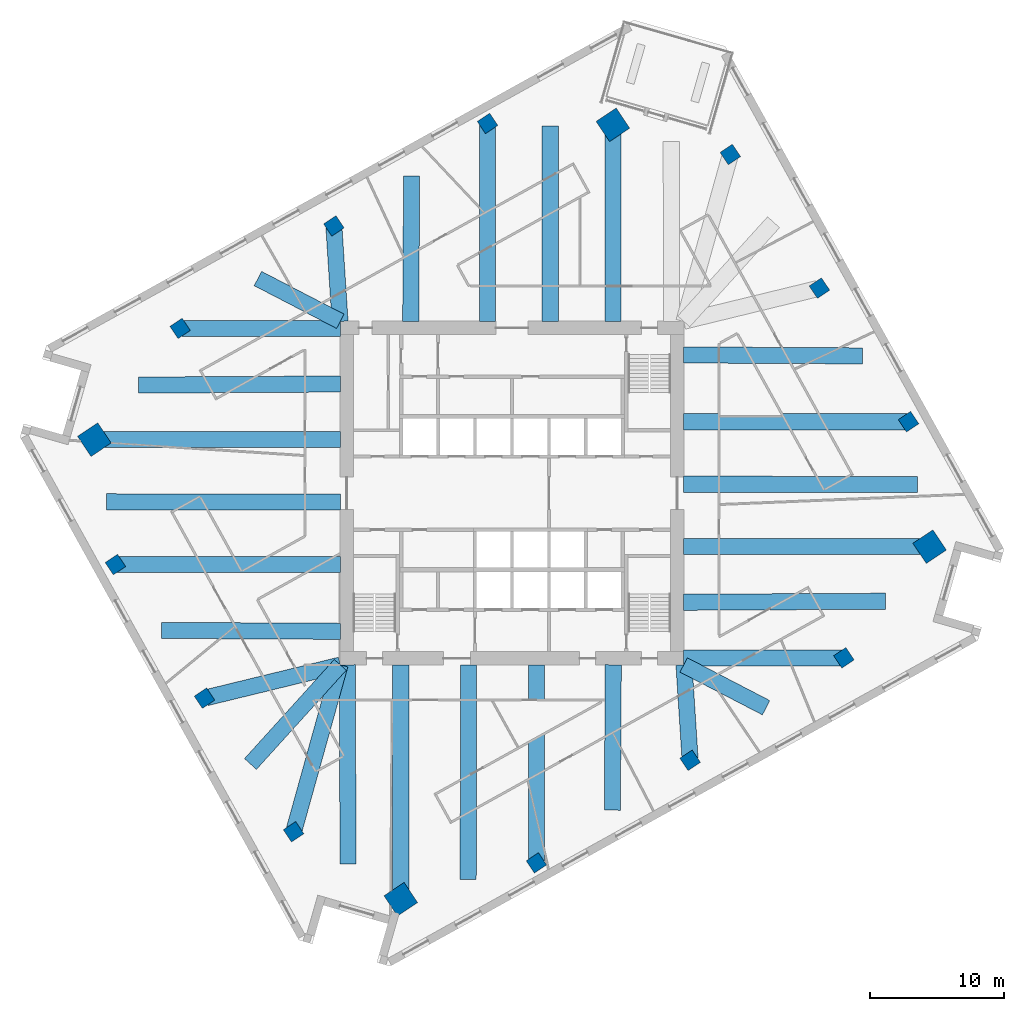
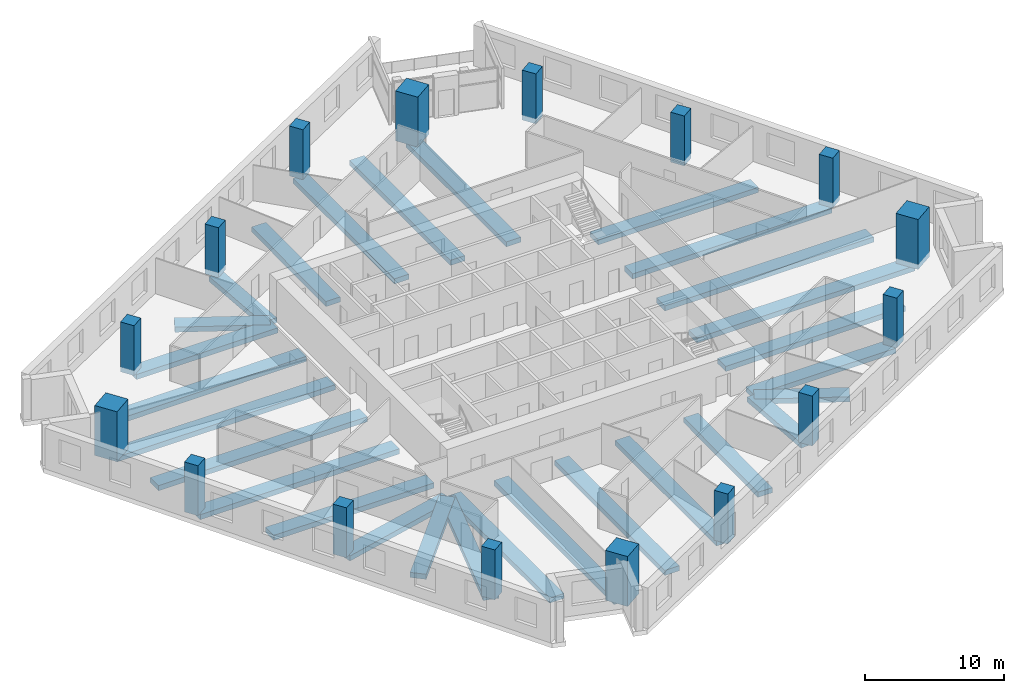
# One storey, part 1 of 11: 28 beams, 16 columns.
"""IFC4 building model written with IfcOpenShell, lengths in metres."""

import ifcopenshell
import ifcopenshell.guid

model = None  # the IFC model being written
_history = None  # IfcOwnerHistory: only IFC2X3 demands one
_inside = {}  # id of a spatial element -> (the spatial element, [elements in it])
_under = {}  # id of a project, library or spatial element -> (it, [spatial elements below it])
_declared = {}  # id of a project -> (the project, [libraries it declares])
_typed = {}  # id of a type object -> (the type object, [elements of that type])
_made_of = {}  # id of a material, layer set ... -> (it, [elements and type objects made of it])


def new_model(schema):
    """Start an empty IFC model of exactly this schema.

    Asked for "IFC4X3", IfcOpenShell would pick the latest addendum, in which some entities
    have other attributes; the version numbers below select the first issue.
    IFC2X3 requires an IfcOwnerHistory on every rooted entity: one is made here for all.
    """
    global model, _history
    if schema == "IFC4X3":
        model = ifcopenshell.file(schema_version=(4, 3, 0, 0))
    else:
        model = ifcopenshell.file(schema=schema)
    _inside.clear()
    _under.clear()
    _declared.clear()
    _typed.clear()
    _made_of.clear()
    _history = None
    if model.schema == "IFC2X3":
        org = make("IfcOrganization", Name="unknown")
        user = make(
            "IfcPersonAndOrganization",
            ThePerson=make("IfcPerson", FamilyName="unknown"),
            TheOrganization=org,
        )
        app = make(
            "IfcApplication",
            ApplicationDeveloper=org,
            Version="unknown",
            ApplicationFullName="unknown",
            ApplicationIdentifier="unknown",
        )
        _history = make(
            "IfcOwnerHistory",
            OwningUser=user,
            OwningApplication=app,
            ChangeAction="ADDED",
            CreationDate=0,
        )
    return model


def make(cls, **values):
    """One entity of the class cls with the attributes given. An attribute that is None is left unset."""
    return model.create_entity(
        cls, **{name: value for name, value in values.items() if value is not None}
    )


def rooted(cls, **values):
    """An entity with a GlobalId (a new one), such as an element, a storey or a relation."""
    return make(cls, GlobalId=ifcopenshell.guid.new(), OwnerHistory=_history, **values)


def si_unit(unit_type, name, prefix=None):
    """IfcSIUnit, for example si_unit("LENGTHUNIT", "METRE", prefix="MILLI")."""
    return make("IfcSIUnit", UnitType=unit_type, Prefix=prefix, Name=name)


def assignment(units):
    """IfcUnitAssignment: the units of a project."""
    return None if units is None else make("IfcUnitAssignment", Units=units)


def point(xyz):
    """IfcCartesianPoint."""
    return None if xyz is None else make("IfcCartesianPoint", Coordinates=xyz)


def direction(xyz):
    """IfcDirection."""
    return None if xyz is None else make("IfcDirection", DirectionRatios=xyz)


def frame(location, z_axis=None, x_axis=None):
    """IfcAxis2Placement3D, a coordinate frame: its origin and axes. An axis left out is left unset."""
    return make(
        "IfcAxis2Placement3D",
        Location=point(location),
        Axis=direction(z_axis),
        RefDirection=direction(x_axis),
    )


def frame_2d(location, x_axis=None):
    """IfcAxis2Placement2D, a coordinate frame in the plane: its origin and x axis."""
    return make(
        "IfcAxis2Placement2D", Location=point(location), RefDirection=direction(x_axis)
    )


def origin():
    """The frame at (0, 0, 0) with its axes left unset."""
    return frame((0.0, 0.0, 0.0))


def origin_2d():
    """The frame at (0, 0) in the plane with its x axis left unset."""
    return frame_2d((0.0, 0.0))


def place(relative_to, where):
    """IfcLocalPlacement: puts the frame where relative to a parent placement (None: the world)."""
    return make(
        "IfcLocalPlacement", PlacementRelTo=relative_to, RelativePlacement=where
    )


def context(
    kind, dimensions, precision=None, world=None, true_north=None, identifier=None
):
    """IfcGeometricRepresentationContext, for example the 3D "Model" context."""
    return make(
        "IfcGeometricRepresentationContext",
        ContextIdentifier=identifier,
        ContextType=kind,
        CoordinateSpaceDimension=dimensions,
        Precision=precision,
        WorldCoordinateSystem=world,
        TrueNorth=true_north,
    )


def subcontext(parent, identifier, kind, view, scale=None):
    """IfcGeometricRepresentationSubContext, for example "Body" below "Model"."""
    return make(
        "IfcGeometricRepresentationSubContext",
        ContextIdentifier=identifier,
        ContextType=kind,
        ParentContext=parent,
        TargetScale=scale,
        TargetView=view,
    )


def project(units=None, contexts=None):
    """IfcProject with its units and contexts."""
    return rooted(
        "IfcProject",
        Name="project",
        RepresentationContexts=contexts,
        UnitsInContext=assignment(units),
    )


def spatial(cls, under=None, at=None, **own):
    """A site, building, storey or space (cls), placed at a placement, below another one or the project."""
    s = rooted(cls, ObjectPlacement=at, **own)
    if under is not None:
        _under.setdefault(under.id(), (under, []))[1].append(s)
    return s


def profile(cls, at=None, kind="AREA", **sizes):
    """A parametric profile (cls). Its sizes go by their IFC names, for example OverallWidth=200.0."""
    return make(cls, ProfileType=kind, Position=at, **sizes)


def rectangle(**sizes):
    """IfcRectangleProfileDef."""
    return profile("IfcRectangleProfileDef", **sizes)


def extrude(swept, where, along, depth):
    """IfcExtrudedAreaSolid: the profile swept, set in the frame where, extruded along a direction by depth."""
    return make(
        "IfcExtrudedAreaSolid",
        SweptArea=swept,
        Position=where,
        ExtrudedDirection=direction(along),
        Depth=depth,
    )


def shape(context_of_items, identifier, shape_type, items):
    """IfcShapeRepresentation: the items that make up one representation, for example the "Body"."""
    return make(
        "IfcShapeRepresentation",
        ContextOfItems=context_of_items,
        RepresentationIdentifier=identifier,
        RepresentationType=shape_type,
        Items=items,
    )


def material(Name=None, Category=None):
    """IfcMaterial."""
    return make("IfcMaterial", Name=Name, Category=Category)


def material_profile(
    of_material, cross_section, Name=None, Category=None, Priority=None
):
    """IfcMaterialProfile: a cross section and its material."""
    return make(
        "IfcMaterialProfile",
        Name=Name,
        Material=of_material,
        Profile=cross_section,
        Priority=Priority,
        Category=Category,
    )


def profile_set(profiles, Name=None, composite=None):
    """IfcMaterialProfileSet."""
    return make(
        "IfcMaterialProfileSet",
        Name=Name,
        MaterialProfiles=profiles,
        CompositeProfile=composite,
    )


def made_of(thing, what):
    """Note that an element or type object is made of a material, layer set ...; save() writes the relation."""
    if what is not None:
        _made_of.setdefault(what.id(), (what, []))[1].append(thing)
    return thing


def type_object(cls, material=None, **own):
    """A type object (cls), such as IfcWallType, which elements share."""
    return made_of(rooted(cls, **own), material)


def element(
    cls,
    number,
    at=None,
    inside=None,
    cuts=None,
    type_object=None,
    material=None,
    context=None,
    identifier="Body",
    shape_type=None,
    held_by="IfcProductDefinitionShape",
    body=None,
    shapes=None,
    **own,
):
    """One element of the class cls, such as IfcWall. Its Tag is "e" and its number.

    at: its placement. inside: the storey or other place that contains it. cuts: it is an
    opening in that element (IfcRelVoidsElement). A single representation is given by context,
    identifier, shape_type and body (its items); several are given by shapes. held_by: the class
    of the entity that holds the representations. save() writes the other relations.
    """
    e = rooted(cls, Tag="e%d" % number, ObjectPlacement=at, **own)
    if body is not None:
        shapes = [shape(context, identifier, shape_type, body)]
    if shapes is not None:
        e.Representation = make(held_by, Representations=shapes)
    if inside is not None:
        _inside.setdefault(inside.id(), (inside, []))[1].append(e)
    if cuts is not None:
        rooted(
            "IfcRelVoidsElement", RelatingBuildingElement=cuts, RelatedOpeningElement=e
        )
    if type_object is not None:
        _typed.setdefault(type_object.id(), (type_object, []))[1].append(e)
    return made_of(e, material)


def aggregate(whole, parts):
    """IfcRelAggregates: a whole, such as a stair, and the parts it consists of."""
    return rooted("IfcRelAggregates", RelatingObject=whole, RelatedObjects=parts)


def save(model, path):
    """Write the relations noted so far, then the file.

    IfcRelAggregates (storeys below a building ...), IfcRelContainedInSpatialStructure (elements
    in a storey), IfcRelDefinesByType, IfcRelAssociatesMaterial and IfcRelDeclares: one each for
    every whole, place, type object, material and project.
    """
    for whole, parts in _under.values():
        aggregate(whole, parts)
    for where, things in _inside.values():
        rooted(
            "IfcRelContainedInSpatialStructure",
            RelatedElements=things,
            RelatingStructure=where,
        )
    for kind, things in _typed.values():
        rooted("IfcRelDefinesByType", RelatedObjects=things, RelatingType=kind)
    for what, things in _made_of.values():
        rooted("IfcRelAssociatesMaterial", RelatedObjects=things, RelatingMaterial=what)
    for by, libraries in _declared.values():
        rooted("IfcRelDeclares", RelatingContext=by, RelatedDefinitions=libraries)
    model.write(path)


model = new_model("IFC4")

# Units and contexts
model_context = context("Model", 3, precision=1e-05, world=origin(), true_north=direction((0.0, 1.0)))
body_context = subcontext(model_context, "Body", "Model", "MODEL_VIEW")
ifc_project = project(units=[si_unit("LENGTHUNIT", "METRE"), si_unit("AREAUNIT", "SQUARE_METRE"), si_unit("VOLUMEUNIT", "CUBIC_METRE"), si_unit("PLANEANGLEUNIT", "RADIAN"), si_unit("MASSUNIT", "GRAM", prefix="KILO")], contexts=[model_context])

# Site, building, storey
site_placement = place(None, origin())
site = spatial("IfcSite", under=ifc_project, at=site_placement, CompositionType="ELEMENT")
building_placement = place(site_placement, origin())
building = spatial("IfcBuilding", under=site, at=building_placement, Name="Dilmun Exchange Tower", CompositionType="ELEMENT")
storey_placement = place(building_placement, frame((0.0, 0.0, 135.699951171875)))
storey = spatial("IfcBuildingStorey", under=building, at=storey_placement, Name="L31", CompositionType="ELEMENT", Elevation=135.699951171875)

# Columns
ifc_material_1 = material(Name="Concrete C60/75", Category="concrete")
ifc_material_profile_1 = material_profile(ifc_material_1, rectangle(XDim=1.800048828125, YDim=1.800048828125, at=origin_2d()), Name="1800 x 1800")
ifc_profile_set_1 = profile_set([ifc_material_profile_1], Name="Concrete C60/75")
column_type_1 = type_object("IfcColumnType", Name="RC mega column 1800 x 1800 C60/75", PredefinedType="COLUMN", material=ifc_profile_set_1)
for number, where, z_axis, x_axis, name in (
    (1, (7.506103515625, 27.409912109375, -0.39990234375), (0.0, 0.0, 1.0), (0.832028680356, 0.55473261583, 0.0), "Mega column M1"),
    (2, (-31.0791015625, 3.98193359375, -0.39990234375), (0.0, 0.0, 1.0), (0.832028680356, 0.55473261583, 0.0), "Mega column M2"),
    (3, (-8.27587890625, -30.220947265625, -0.39990234375), (0.0, 0.0, 1.0), (0.832028680356, 0.55473261583, 0.0), "Mega column M3"),
    (4, (31.0791015625, -3.98193359375, -0.39990234375), (0.0, 0.0, 1.0), (0.832028680356, 0.55473261583, 0.0), "Mega column M4"),
):
    element("IfcColumn", number, at=place(storey_placement, frame(where, z_axis=z_axis, x_axis=x_axis)), inside=storey, type_object=column_type_1, Name=name, PredefinedType="COLUMN", context=body_context, shape_type="SweptSolid", body=[
        extrude(rectangle(XDim=1.800048828125, YDim=1.800048828125, at=origin_2d()), origin(), (0.0, 0.0, 1.0), 4.39990234375),
    ])
ifc_material_profile_2 = material_profile(ifc_material_1, rectangle(XDim=1.10009765625, YDim=1.10009765625, at=origin_2d()), Name="1100 x 1100")
ifc_profile_set_2 = profile_set([ifc_material_profile_2], Name="Concrete C60/75")
column_type_2 = type_object("IfcColumnType", Name="RC ring column 1100 x 1100 C60/75", PredefinedType="COLUMN", material=ifc_profile_set_2)
for number, where, z_axis, x_axis, name in (
    (5, (-1.818115234375, 27.512939453125, -0.39990234375), (0.0, 0.0, 1.0), (0.832028680356, 0.55473261583, 0.0), "Ring column R01"),
    (6, (-13.258056640625, 19.885009765625, -0.39990234375), (0.0, 0.0, 1.0), (0.832028680356, 0.55473261583, 0.0), "Ring column R02"),
    (7, (-24.698974609375, 12.258056640625, -0.39990234375), (0.0, 0.0, 1.0), (0.832028680356, 0.55473261583, 0.0), "Ring column R03"),
    (8, (-29.510009765625, -5.31201171875, -0.39990234375), (0.0, 0.0, 1.0), (0.832028680356, 0.55473261583, 0.0), "Ring column R04"),
    (9, (-22.881103515625, -15.2548828125, -0.39990234375), (0.0, 0.0, 1.0), (0.832028680356, 0.55473261583, 0.0), "Ring column R05"),
    (10, (-16.251953125, -25.197998046875, -0.39990234375), (0.0, 0.0, 1.0), (0.832028680356, 0.55473261583, 0.0), "Ring column R06"),
    (11, (1.818115234375, -27.512939453125, -0.39990234375), (0.0, 0.0, 1.0), (0.832028680356, 0.55473261583, 0.0), "Ring column R07"),
    (12, (13.258056640625, -19.885009765625, -0.39990234375), (0.0, 0.0, 1.0), (0.832028680356, 0.55473261583, 0.0), "Ring column R08"),
    (13, (24.698974609375, -12.258056640625, -0.39990234375), (0.0, 0.0, 1.0), (0.832028680356, 0.55473261583, 0.0), "Ring column R09"),
    (14, (29.510009765625, 5.31201171875, -0.39990234375), (0.0, 0.0, 1.0), (0.832028680356, 0.55473261583, 0.0), "Ring column R10"),
    (15, (22.881103515625, 15.2548828125, -0.39990234375), (0.0, 0.0, 1.0), (0.832028680356, 0.55473261583, 0.0), "Ring column R11"),
    (16, (16.251953125, 25.197998046875, -0.39990234375), (0.0, 0.0, 1.0), (0.832028680356, 0.55473261583, 0.0), "Ring column R12"),
):
    element("IfcColumn", number, at=place(storey_placement, frame(where, z_axis=z_axis, x_axis=x_axis)), inside=storey, type_object=column_type_2, Name=name, PredefinedType="COLUMN", context=body_context, shape_type="SweptSolid", body=[
        extrude(rectangle(XDim=1.10009765625, YDim=1.10009765625, at=origin_2d()), origin(), (0.0, 0.0, 1.0), 4.39990234375),
    ])

# Beams
ifc_material_2 = material(Name="Concrete C40/50", Category="concrete")
ifc_material_profile_3 = material_profile(ifc_material_2, rectangle(XDim=1.199951171875, YDim=0.449951171875, at=origin_2d()), Name="1200 x 450")
ifc_profile_set_3 = profile_set([ifc_material_profile_3], Name="Concrete C40/50")
beam_type = type_object("IfcBeamType", Name="RC band beam 1200 x 450 C40/50", PredefinedType="BEAM", material=ifc_profile_set_3)
beam_1_placement = place(storey_placement, frame((7.506103515625, 27.285888671875, -0.724853515625), z_axis=(0.0, -1.0, 0.0), x_axis=(1.0, 0.0, 0.0)))
element("IfcBeam", 17, at=beam_1_placement, inside=storey, type_object=beam_type, Name="Band beam 1", PredefinedType="BEAM", context=body_context, shape_type="SweptSolid", body=[
    extrude(rectangle(XDim=1.199951171875, YDim=0.449951171875, at=origin_2d()), origin(), (0.0, 0.0, 1.0), 14.512939453125),
])
beam_2_placement = place(storey_placement, frame((-1.818115234375, 27.388916015625, -0.724853515625), z_axis=(0.0, -1.0, 0.0), x_axis=(1.0, 0.0, 0.0)))
element("IfcBeam", 18, at=beam_2_placement, inside=storey, type_object=beam_type, Name="Band beam 2", PredefinedType="BEAM", context=body_context, shape_type="SweptSolid", body=[
    extrude(rectangle(XDim=1.199951171875, YDim=0.449951171875, at=origin_2d()), origin(), (0.0, 0.0, 1.0), 14.615966796875),
])
beam_3_placement = place(storey_placement, frame((-13.25, 19.76123046875, -0.724853515625), z_axis=(0.064498756479, -0.997917787402, 0.0), x_axis=(0.997917787402, 0.064498756479, 0.0)))
element("IfcBeam", 19, at=beam_3_placement, inside=storey, type_object=beam_type, Name="Band beam 3", PredefinedType="BEAM", context=body_context, shape_type="SweptSolid", body=[
    extrude(rectangle(XDim=1.199951171875, YDim=0.449951171875, at=origin_2d()), origin(), (0.0, 0.0, 1.0), 7.002685546875),
])
beam_4_placement = place(storey_placement, frame((-24.574951171875, 12.258056640625, -0.724853515625), z_axis=(1.0, 0.0, 0.0), x_axis=(0.0, 1.0, 0.0)))
element("IfcBeam", 20, at=beam_4_placement, inside=storey, type_object=beam_type, Name="Band beam 4", PredefinedType="BEAM", context=body_context, shape_type="SweptSolid", body=[
    extrude(rectangle(XDim=1.199951171875, YDim=0.449951171875, at=origin_2d()), origin(), (0.0, 0.0, 1.0), 11.802001953125),
])
beam_5_placement = place(storey_placement, frame((-30.955078125, 3.98193359375, -0.724853515625), z_axis=(1.0, 0.0, 0.0), x_axis=(0.0, 1.0, 0.0)))
element("IfcBeam", 21, at=beam_5_placement, inside=storey, type_object=beam_type, Name="Band beam 5", PredefinedType="BEAM", context=body_context, shape_type="SweptSolid", body=[
    extrude(rectangle(XDim=1.199951171875, YDim=0.449951171875, at=origin_2d()), origin(), (0.0, 0.0, 1.0), 18.18212890625),
])
beam_6_placement = place(storey_placement, frame((-29.385986328125, -5.31201171875, -0.724853515625), z_axis=(1.0, 0.0, 0.0), x_axis=(0.0, 1.0, 0.0)))
element("IfcBeam", 22, at=beam_6_placement, inside=storey, type_object=beam_type, Name="Band beam 6", PredefinedType="BEAM", context=body_context, shape_type="SweptSolid", body=[
    extrude(rectangle(XDim=1.199951171875, YDim=0.449951171875, at=origin_2d()), origin(), (0.0, 0.0, 1.0), 16.613037109375),
])
beam_7_placement = place(storey_placement, frame((-22.760498046875, -15.2255859375, -0.724853515625), z_axis=(0.97160815916, 0.236595826367, 0.0), x_axis=(-0.236595826367, 0.97160815916, 0.0)))
element("IfcBeam", 23, at=beam_7_placement, inside=storey, type_object=beam_type, Name="Band beam 7", PredefinedType="BEAM", context=body_context, shape_type="SweptSolid", body=[
    extrude(rectangle(XDim=1.199951171875, YDim=0.449951171875, at=origin_2d()), origin(), (0.0, 0.0, 1.0), 10.278564453125),
])
beam_8_placement = place(storey_placement, frame((-16.21875, -25.07861328125, -0.724853515625), z_axis=(0.268229398588, 0.963355069397, 0.0), x_axis=(-0.963355069397, 0.268229398588, 0.0)))
element("IfcBeam", 24, at=beam_8_placement, inside=storey, type_object=beam_type, Name="Band beam 8", PredefinedType="BEAM", context=body_context, shape_type="SweptSolid", body=[
    extrude(rectangle(XDim=1.199951171875, YDim=0.449951171875, at=origin_2d()), origin(), (0.0, 0.0, 1.0), 12.772705078125),
])
beam_9_placement = place(storey_placement, frame((-8.27587890625, -30.096923828125, -0.724853515625), z_axis=(0.0, 1.0, 0.0), x_axis=(-1.0, 0.0, 0.0)))
element("IfcBeam", 25, at=beam_9_placement, inside=storey, type_object=beam_type, Name="Band beam 9", PredefinedType="BEAM", context=body_context, shape_type="SweptSolid", body=[
    extrude(rectangle(XDim=1.199951171875, YDim=0.449951171875, at=origin_2d()), origin(), (0.0, 0.0, 1.0), 17.323974609375),
])
beam_10_placement = place(storey_placement, frame((1.818115234375, -27.388916015625, -0.724853515625), z_axis=(0.0, 1.0, 0.0), x_axis=(-1.0, 0.0, 0.0)))
element("IfcBeam", 26, at=beam_10_placement, inside=storey, type_object=beam_type, Name="Band beam 10", PredefinedType="BEAM", context=body_context, shape_type="SweptSolid", body=[
    extrude(rectangle(XDim=1.199951171875, YDim=0.449951171875, at=origin_2d()), origin(), (0.0, 0.0, 1.0), 14.615966796875),
])
beam_11_placement = place(storey_placement, frame((13.25, -19.76123046875, -0.724853515625), z_axis=(-0.064498756479, 0.997917787402, 0.0), x_axis=(-0.997917787402, -0.064498756479, 0.0)))
element("IfcBeam", 27, at=beam_11_placement, inside=storey, type_object=beam_type, Name="Band beam 11", PredefinedType="BEAM", context=body_context, shape_type="SweptSolid", body=[
    extrude(rectangle(XDim=1.199951171875, YDim=0.449951171875, at=origin_2d()), origin(), (0.0, 0.0, 1.0), 7.002685546875),
])
beam_12_placement = place(storey_placement, frame((24.574951171875, -12.258056640625, -0.724853515625), z_axis=(-1.0, 0.0, 0.0), x_axis=(0.0, -1.0, 0.0)))
element("IfcBeam", 28, at=beam_12_placement, inside=storey, type_object=beam_type, Name="Band beam 12", PredefinedType="BEAM", context=body_context, shape_type="SweptSolid", body=[
    extrude(rectangle(XDim=1.199951171875, YDim=0.449951171875, at=origin_2d()), origin(), (0.0, 0.0, 1.0), 11.802001953125),
])
beam_13_placement = place(storey_placement, frame((30.955078125, -3.98193359375, -0.724853515625), z_axis=(-1.0, 0.0, 0.0), x_axis=(0.0, -1.0, 0.0)))
element("IfcBeam", 29, at=beam_13_placement, inside=storey, type_object=beam_type, Name="Band beam 13", PredefinedType="BEAM", context=body_context, shape_type="SweptSolid", body=[
    extrude(rectangle(XDim=1.199951171875, YDim=0.449951171875, at=origin_2d()), origin(), (0.0, 0.0, 1.0), 18.18212890625),
])
beam_14_placement = place(storey_placement, frame((29.385986328125, 5.31201171875, -0.724853515625), z_axis=(-1.0, 0.0, 0.0), x_axis=(0.0, -1.0, 0.0)))
element("IfcBeam", 30, at=beam_14_placement, inside=storey, type_object=beam_type, Name="Band beam 14", PredefinedType="BEAM", context=body_context, shape_type="SweptSolid", body=[
    extrude(rectangle(XDim=1.199951171875, YDim=0.449951171875, at=origin_2d()), origin(), (0.0, 0.0, 1.0), 16.613037109375),
])
beam_15_placement = place(storey_placement, frame((2.842529296875, 27.33740234375, -0.724853515625), z_axis=(0.000100576639, -0.999999994942, 0.0), x_axis=(0.999999994942, 0.000100576639, 0.0)))
element("IfcBeam", 31, at=beam_15_placement, inside=storey, type_object=beam_type, Name="Band beam 17", PredefinedType="BEAM", context=body_context, shape_type="SweptSolid", body=[
    extrude(rectangle(XDim=1.199951171875, YDim=0.449951171875, at=origin_2d()), origin(), (0.0, 0.0, 1.0), 14.564453125),
])
beam_16_placement = place(storey_placement, frame((-7.46923828125, 23.595703125, -0.724853515625), z_axis=(-0.006361251845, -0.999979767033, 0.0), x_axis=(0.999979767033, -0.006361251845, 0.0)))
element("IfcBeam", 32, at=beam_16_placement, inside=storey, type_object=beam_type, Name="Band beam 18", PredefinedType="BEAM", context=body_context, shape_type="SweptSolid", body=[
    extrude(rectangle(XDim=1.199951171875, YDim=0.449951171875, at=origin_2d()), origin(), (0.0, 0.0, 1.0), 10.822998046875),
])
beam_17_placement = place(storey_placement, frame((-18.90966796875, 15.96826171875, -0.724853515625), z_axis=(0.887721906394, -0.460380078749, 0.0), x_axis=(0.460380078749, 0.887721906394, 0.0)))
element("IfcBeam", 33, at=beam_17_placement, inside=storey, type_object=beam_type, Name="Band beam 19", PredefinedType="BEAM", context=body_context, shape_type="SweptSolid", body=[
    extrude(rectangle(XDim=1.199951171875, YDim=0.449951171875, at=origin_2d()), origin(), (0.0, 0.0, 1.0), 6.909423828125),
])
beam_18_placement = place(storey_placement, frame((-27.790771484375, 8.044189453125, -0.724853515625), z_axis=(0.999987219477, 0.005055777238, 0.0), x_axis=(-0.005055777238, 0.999987219477, 0.0)))
element("IfcBeam", 34, at=beam_18_placement, inside=storey, type_object=beam_type, Name="Band beam 20", PredefinedType="BEAM", context=body_context, shape_type="SweptSolid", body=[
    extrude(rectangle(XDim=1.199951171875, YDim=0.449951171875, at=origin_2d()), origin(), (0.0, 0.0, 1.0), 15.01806640625),
])
beam_19_placement = place(storey_placement, frame((-30.172119140625, -0.644287109375, -0.724853515625), z_axis=(0.999999288737, -0.001192697034, 0.0), x_axis=(0.001192697034, 0.999999288737, 0.0)))
element("IfcBeam", 35, at=beam_19_placement, inside=storey, type_object=beam_type, Name="Band beam 21", PredefinedType="BEAM", context=body_context, shape_type="SweptSolid", body=[
    extrude(rectangle(XDim=1.199951171875, YDim=0.449951171875, at=origin_2d()), origin(), (0.0, 0.0, 1.0), 17.399169921875),
])
beam_20_placement = place(storey_placement, frame((-26.09228515625, -10.214599609375, -0.724853515625), z_axis=(0.999986640984, -0.005168931607, 0.0), x_axis=(0.005168931607, 0.999986640984, 0.0)))
element("IfcBeam", 36, at=beam_20_placement, inside=storey, type_object=beam_type, Name="Band beam 22", PredefinedType="BEAM", context=body_context, shape_type="SweptSolid", body=[
    extrude(rectangle(XDim=1.199951171875, YDim=0.449951171875, at=origin_2d()), origin(), (0.0, 0.0, 1.0), 13.319580078125),
])
beam_21_placement = place(storey_placement, frame((-19.46337890625, -20.15771484375, -0.724853515625), z_axis=(0.671277398633, 0.741206215627, 0.0), x_axis=(-0.741206215627, 0.671277398633, 0.0)))
element("IfcBeam", 37, at=beam_21_placement, inside=storey, type_object=beam_type, Name="Band beam 23", PredefinedType="BEAM", context=body_context, shape_type="SweptSolid", body=[
    extrude(rectangle(XDim=1.199951171875, YDim=0.449951171875, at=origin_2d()), origin(), (0.0, 0.0, 1.0), 9.95361328125),
])
beam_22_placement = place(storey_placement, frame((-12.197998046875, -27.6044921875, -0.724853515625), z_axis=(-0.004444400549, 0.999990123603, 0.0), x_axis=(-0.999990123603, -0.004444400549, 0.0)))
element("IfcBeam", 38, at=beam_22_placement, inside=storey, type_object=beam_type, Name="Band beam 24", PredefinedType="BEAM", context=body_context, shape_type="SweptSolid", body=[
    extrude(rectangle(XDim=1.199951171875, YDim=0.449951171875, at=origin_2d()), origin(), (0.0, 0.0, 1.0), 14.831787109375),
])
beam_23_placement = place(storey_placement, frame((-3.260986328125, -28.747314453125, -0.724853515625), z_axis=(0.002002105079, 0.999997995786, 0.0), x_axis=(-0.999997995786, 0.002002105079, 0.0)))
element("IfcBeam", 39, at=beam_23_placement, inside=storey, type_object=beam_type, Name="Band beam 25", PredefinedType="BEAM", context=body_context, shape_type="SweptSolid", body=[
    extrude(rectangle(XDim=1.199951171875, YDim=0.449951171875, at=origin_2d()), origin(), (0.0, 0.0, 1.0), 15.974365234375),
])
beam_24_placement = place(storey_placement, frame((7.46923828125, -23.595703125, -0.724853515625), z_axis=(0.006361251845, 0.999979767033, 0.0), x_axis=(-0.999979767033, 0.006361251845, 0.0)))
element("IfcBeam", 40, at=beam_24_placement, inside=storey, type_object=beam_type, Name="Band beam 26", PredefinedType="BEAM", context=body_context, shape_type="SweptSolid", body=[
    extrude(rectangle(XDim=1.199951171875, YDim=0.449951171875, at=origin_2d()), origin(), (0.0, 0.0, 1.0), 10.822998046875),
])
beam_25_placement = place(storey_placement, frame((18.90966796875, -15.96826171875, -0.724853515625), z_axis=(-0.887721906394, 0.460380078749, 0.0), x_axis=(-0.460380078749, -0.887721906394, 0.0)))
element("IfcBeam", 41, at=beam_25_placement, inside=storey, type_object=beam_type, Name="Band beam 27", PredefinedType="BEAM", context=body_context, shape_type="SweptSolid", body=[
    extrude(rectangle(XDim=1.199951171875, YDim=0.449951171875, at=origin_2d()), origin(), (0.0, 0.0, 1.0), 6.909423828125),
])
beam_26_placement = place(storey_placement, frame((27.790771484375, -8.044189453125, -0.724853515625), z_axis=(-0.999987219477, -0.005055777238, 0.0), x_axis=(0.005055777238, -0.999987219477, 0.0)))
element("IfcBeam", 42, at=beam_26_placement, inside=storey, type_object=beam_type, Name="Band beam 28", PredefinedType="BEAM", context=body_context, shape_type="SweptSolid", body=[
    extrude(rectangle(XDim=1.199951171875, YDim=0.449951171875, at=origin_2d()), origin(), (0.0, 0.0, 1.0), 15.01806640625),
])
beam_27_placement = place(storey_placement, frame((30.172119140625, 0.644287109375, -0.724853515625), z_axis=(-0.999999288737, 0.001192697034, 0.0), x_axis=(-0.001192697034, -0.999999288737, 0.0)))
element("IfcBeam", 43, at=beam_27_placement, inside=storey, type_object=beam_type, Name="Band beam 29", PredefinedType="BEAM", context=body_context, shape_type="SweptSolid", body=[
    extrude(rectangle(XDim=1.199951171875, YDim=0.449951171875, at=origin_2d()), origin(), (0.0, 0.0, 1.0), 17.399169921875),
])
beam_28_placement = place(storey_placement, frame((26.09228515625, 10.214599609375, -0.724853515625), z_axis=(-0.999986640984, 0.005168931607, 0.0), x_axis=(-0.005168931607, -0.999986640984, 0.0)))
element("IfcBeam", 44, at=beam_28_placement, inside=storey, type_object=beam_type, Name="Band beam 30", PredefinedType="BEAM", context=body_context, shape_type="SweptSolid", body=[
    extrude(rectangle(XDim=1.199951171875, YDim=0.449951171875, at=origin_2d()), origin(), (0.0, 0.0, 1.0), 13.319580078125),
])

save(model, "model.ifc")
